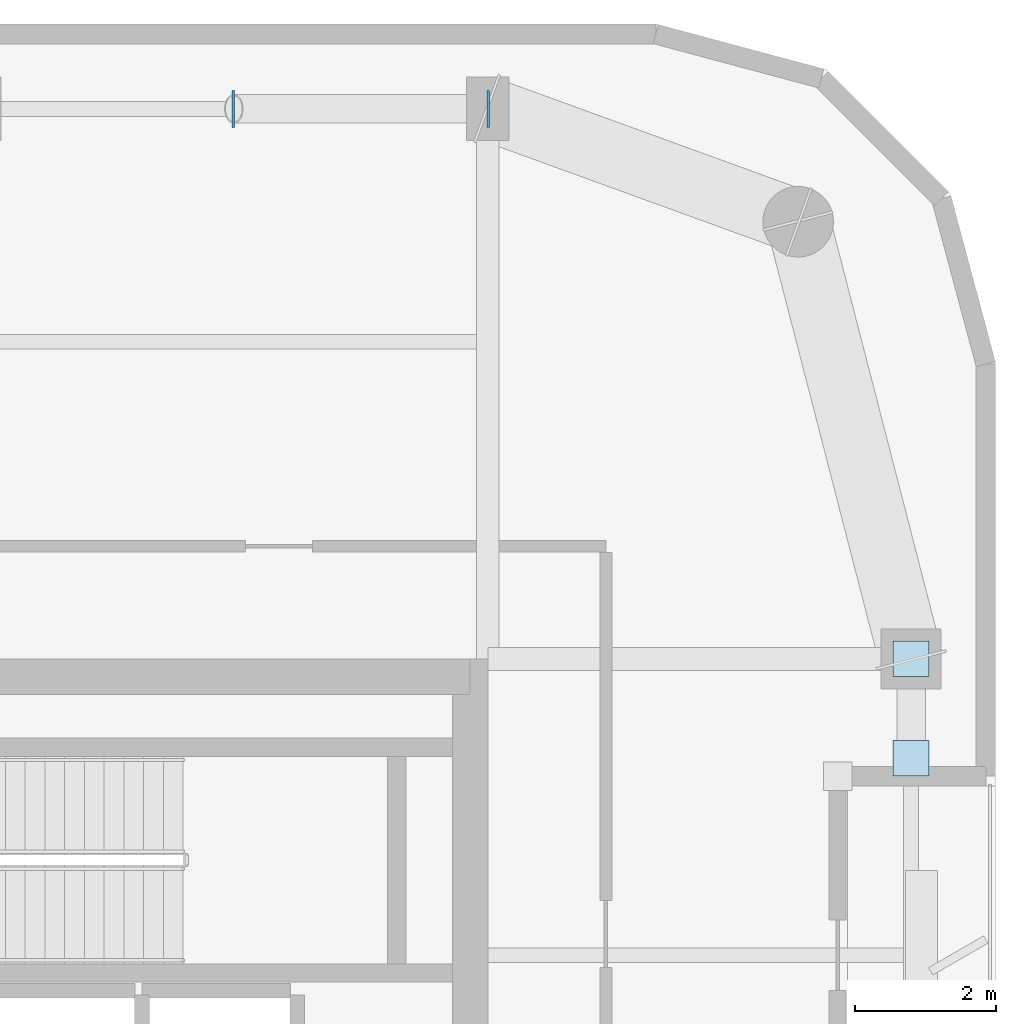
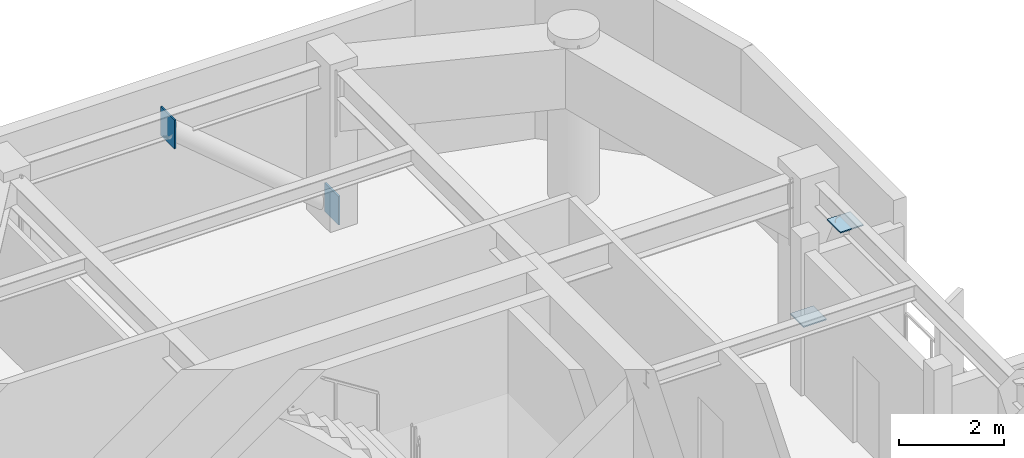
# One storey, part 9 of 15: 4 plates.
"""IFC4 building model written with IfcOpenShell, lengths in metres."""

from ifc_helpers import new_model, si_unit, direction, frame, origin, origin_2d, place, context, subcontext, project, spatial, rectangle, extrude, material, layer, layer_set, type_object, element, save


model = new_model("IFC4")

# Units and contexts
model_context = context("Model", 3, precision=1e-05, world=origin(), true_north=direction((0.0, 1.0)))
body_context = subcontext(model_context, "Body", "Model", "MODEL_VIEW")
ifc_project = project(units=[si_unit("LENGTHUNIT", "METRE"), si_unit("AREAUNIT", "SQUARE_METRE"), si_unit("VOLUMEUNIT", "CUBIC_METRE"), si_unit("PLANEANGLEUNIT", "RADIAN"), si_unit("MASSUNIT", "GRAM", prefix="KILO")], contexts=[model_context])

# Site, building, storey
site_placement = place(None, origin())
site = spatial("IfcSite", under=ifc_project, at=site_placement, CompositionType="ELEMENT")
building_placement = place(site_placement, origin())
building = spatial("IfcBuilding", under=site, at=building_placement, Name="Kiyonajd Concourse Tower", CompositionType="ELEMENT")
storey_placement = place(building_placement, frame((0.0, 0.0, 321.89990234375)))
storey = spatial("IfcBuildingStorey", under=building, at=storey_placement, Name="L81", CompositionType="ELEMENT", Elevation=321.89990234375)

# Plates
ifc_material = material(Name="Steel ASTM A572 Grade 50", Category="steel")
ifc_layer = layer(ifc_material, 0.028076171875)
ifc_layer_set = layer_set([ifc_layer], Name="Steel ASTM A572 Grade 50")
plate_type = type_object("IfcPlateType", Name="PL-CAP-450", PredefinedType="USERDEFINED", material=ifc_layer_set)
for number, where, z_axis, x_axis, name in (
    (1, (63.6083984375, 52.199951171875, -0.04248046875), (0.0, 0.0, 1.0), (1.0, 0.0, 0.0), "L81 Hollow Brace End Cap Plate PBN"),
    (2, (59.99169921875, 52.199951171875, 3.001708984375), (0.0, 0.0, 1.0), (-1.0, 0.0, 0.0), "L81 Hollow Brace Top Cap Plate PBN"),
):
    element("IfcPlate", number, at=place(storey_placement, frame(where, z_axis=z_axis, x_axis=x_axis)), inside=storey, type_object=plate_type, Name=name, ObjectType="CAP PLATE", PredefinedType="USERDEFINED", context=body_context, shape_type="SweptSolid", body=[
        extrude(rectangle(XDim=0.035888671875, YDim=0.52587890625, at=origin_2d()), origin(), (0.0, 0.0, 1.0), 0.6708984375),
    ])
for number, where, z_axis, x_axis, name in (
    (3, (69.60009765625, 44.404541015625, 0.27587890625), (0.0, 0.0, 1.0), (1.0, 0.0, 0.0), "L81 Hollow Brace End Cap Plate PBE"),
    (4, (69.60009765625, 42.995361328125, 3.326171875), (0.0, 0.0, 1.0), (1.0, 0.0, 0.0), "L81 Hollow Brace Top Cap Plate PBE"),
):
    element("IfcPlate", number, at=place(storey_placement, frame(where, z_axis=z_axis, x_axis=x_axis)), inside=storey, type_object=plate_type, Name=name, ObjectType="CAP PLATE", PredefinedType="USERDEFINED", context=body_context, shape_type="SweptSolid", body=[
        extrude(rectangle(XDim=0.506103515625, YDim=0.506103515625, at=origin_2d()), origin(), (0.0, 0.0, 1.0), 0.028076171875),
    ])

save(model, "model.ifc")
